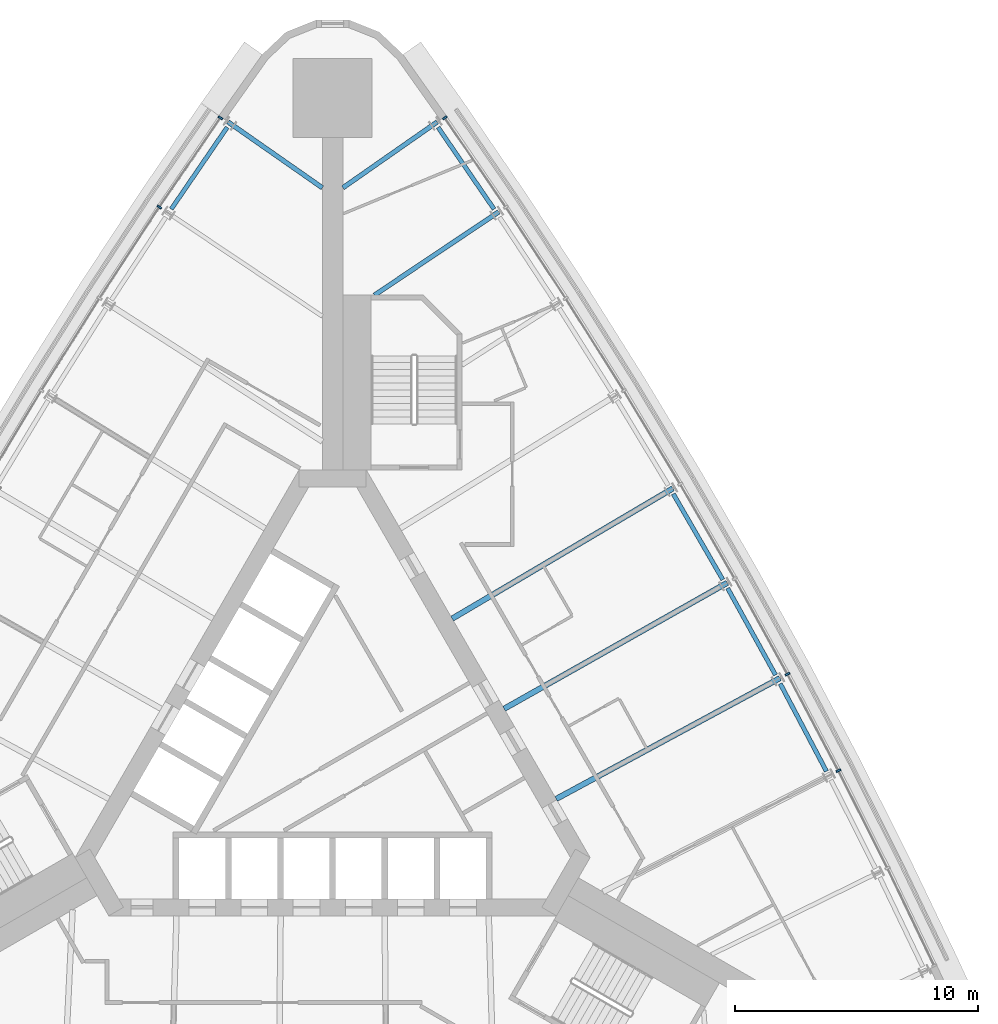
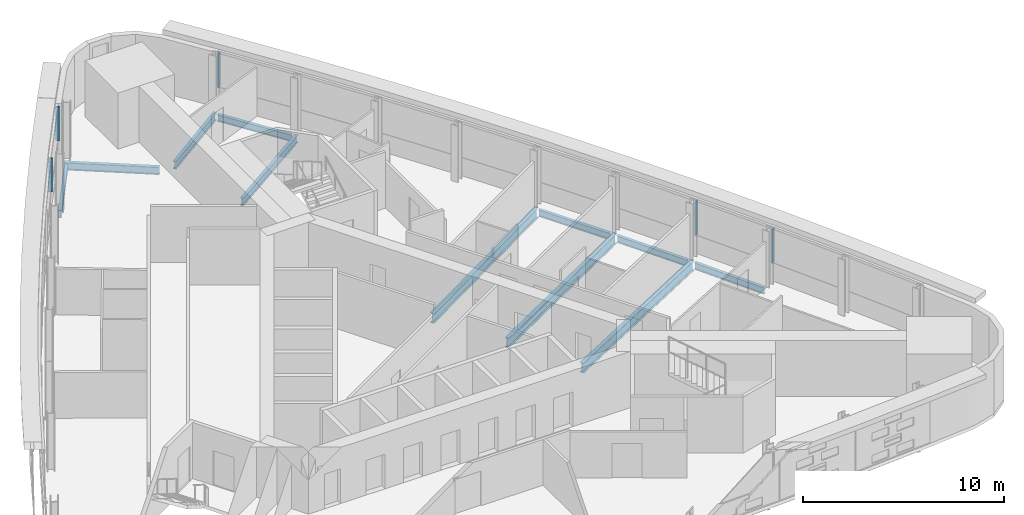
# One storey, part 7 of 16: 11 beams, 5 members, 2 elements without a shape of their own.
"""IFC4 building model written with IfcOpenShell, lengths in metres."""

from ifc_helpers import new_model, si_unit, direction, frame, origin, origin_2d, place, context, subcontext, project, spatial, rectangle, i_section, extrude, material, material_profile, profile_set, type_object, element, aggregate, save


model = new_model("IFC4")

# Units and contexts
model_context = context("Model", 3, precision=1e-05, world=origin(), true_north=direction((0.0, 1.0)))
body_context = subcontext(model_context, "Body", "Model", "MODEL_VIEW")
ifc_project = project(units=[si_unit("LENGTHUNIT", "METRE"), si_unit("AREAUNIT", "SQUARE_METRE"), si_unit("VOLUMEUNIT", "CUBIC_METRE"), si_unit("PLANEANGLEUNIT", "RADIAN"), si_unit("MASSUNIT", "GRAM", prefix="KILO")], contexts=[model_context])

# Site, building, storey
site_placement = place(None, origin())
site = spatial("IfcSite", under=ifc_project, at=site_placement, CompositionType="ELEMENT")
building_placement = place(site_placement, origin())
building = spatial("IfcBuilding", under=site, at=building_placement, Name="Noor Cloister Tower", CompositionType="ELEMENT")
storey_placement = place(building_placement, frame((0.0, 0.0, 65.39990234375)))
storey = spatial("IfcBuildingStorey", under=building, at=storey_placement, Name="L16", CompositionType="ELEMENT", Elevation=65.39990234375)

# Curtain wall, members
ifc_material_1 = material(Name="Aluminium 6063-T6 anodised", Category="aluminium")
curtain_wall_type = type_object("IfcCurtainWallType", Name="Ribbon curtain wall, lower tower CW1", PredefinedType="NOTDEFINED", material=ifc_material_1)
curtain_wall_1_placement = place(storey_placement, origin())
curtain_wall_1 = element("IfcCurtainWall", 1, at=curtain_wall_1_placement, inside=storey, type_object=curtain_wall_type, Name="CW1 L16 NW run 1", PredefinedType="NOTDEFINED")
ifc_material_2 = material(Name="Aluminium 6063-T6 anodised", Category="aluminium")
ifc_material_profile_1 = material_profile(ifc_material_2, rectangle(XDim=0.199951171875, YDim=0.080078125, at=origin_2d()), Name="200 x 80 mullion")
ifc_profile_set_1 = profile_set([ifc_material_profile_1], Name="Aluminium 6063-T6 anodised")
member_type = type_object("IfcMemberType", Name="Mullion CW1 80 x 200", PredefinedType="MULLION", material=ifc_profile_set_1)
member_1_placement = place(storey_placement, frame((-4.623779296875, 25.968505859375, 1.10009765625), z_axis=(0.0, 0.0, 1.0), x_axis=(0.82534466855, -0.564629239498, 0.0)))
member_1 = element("IfcMember", 2, at=member_1_placement, type_object=member_type, Name="CW1 mullion 1", PredefinedType="MULLION", context=body_context, shape_type="SweptSolid", body=[
    extrude(rectangle(XDim=0.199951171875, YDim=0.080078125, at=origin_2d()), origin(), (0.0, 0.0, 1.0), 2.050048828125),
])
member_2_placement = place(storey_placement, frame((-7.141357421875, 22.288330078125, 1.10009765625), z_axis=(0.0, 0.0, 1.0), x_axis=(0.830698132368, -0.556723102521, 0.0)))
member_2 = element("IfcMember", 3, at=member_2_placement, type_object=member_type, Name="CW1 mullion 2", PredefinedType="MULLION", context=body_context, shape_type="SweptSolid", body=[
    extrude(rectangle(XDim=0.199951171875, YDim=0.080078125, at=origin_2d()), origin(), (0.0, 0.0, 1.0), 2.050048828125),
])
aggregate(curtain_wall_1, [member_1, member_2])

curtain_wall_2_placement = place(storey_placement, origin())
curtain_wall_2 = element("IfcCurtainWall", 4, at=curtain_wall_2_placement, inside=storey, type_object=curtain_wall_type, Name="CW1 L16 NE run 4", PredefinedType="NOTDEFINED")
member_3_placement = place(storey_placement, frame((20.850830078125, -0.941650390625, 1.10009765625), z_axis=(0.0, 0.0, 1.0), x_axis=(-0.88889998234, -0.458101322193, 0.0)))
member_3 = element("IfcMember", 5, at=member_3_placement, type_object=member_type, Name="CW1 mullion 3", PredefinedType="MULLION", context=body_context, shape_type="SweptSolid", body=[
    extrude(rectangle(XDim=0.199951171875, YDim=0.080078125, at=origin_2d()), origin(), (0.0, 0.0, 1.0), 2.050048828125),
])
member_4_placement = place(storey_placement, frame((18.752197265625, 3.03662109375, 1.10009765625), z_axis=(0.0, 0.0, 1.0), x_axis=(-0.879990404946, -0.474991460136, 0.0)))
member_4 = element("IfcMember", 6, at=member_4_placement, type_object=member_type, Name="CW1 mullion 4", PredefinedType="MULLION", context=body_context, shape_type="SweptSolid", body=[
    extrude(rectangle(XDim=0.199951171875, YDim=0.080078125, at=origin_2d()), origin(), (0.0, 0.0, 1.0), 2.050048828125),
])
member_5_placement = place(storey_placement, frame((4.623779296875, 25.968505859375, 1.10009765625), z_axis=(0.0, 0.0, 1.0), x_axis=(-0.82534466855, -0.564629239498, 0.0)))
member_5 = element("IfcMember", 7, at=member_5_placement, type_object=member_type, Name="CW1 mullion 10", PredefinedType="MULLION", context=body_context, shape_type="SweptSolid", body=[
    extrude(rectangle(XDim=0.199951171875, YDim=0.080078125, at=origin_2d()), origin(), (0.0, 0.0, 1.0), 2.050048828125),
])
aggregate(curtain_wall_2, [member_3, member_4, member_5])

# Beams
ifc_material_3 = material(Name="Steel ASTM A992 Gr 50", Category="steel")
ifc_material_profile_2 = material_profile(ifc_material_3, i_section(OverallWidth=0.19091796875, OverallDepth=0.45703125, WebThickness=0.009033203125, FlangeThickness=0.014404296875, FilletRadius=0.01025390625, at=origin_2d()), Name="W460x74")
ifc_profile_set_2 = profile_set([ifc_material_profile_2], Name="Steel ASTM A992 Gr 50")
beam_type_1 = type_object("IfcBeamType", Name="Radial beam W460x74", PredefinedType="BEAM", material=ifc_profile_set_2)
beam_1_placement = place(storey_placement, frame((-4.312255859375, 25.798828125, -0.428466796875), z_axis=(0.819894234357, -0.572515016806, 0.0), x_axis=(0.572515016806, 0.819894234357, 0.0)))
element("IfcBeam", 8, at=beam_1_placement, inside=storey, type_object=beam_type_1, Name="Radial beam NW 01 L16", PredefinedType="BEAM", context=body_context, shape_type="SweptSolid", body=[
    extrude(i_section(OverallWidth=0.19091796875, OverallDepth=0.45703125, WebThickness=0.009033203125, FlangeThickness=0.014404296875, FilletRadius=0.01025390625, at=origin_2d()), origin(), (0.0, 0.0, 1.0), 4.7412109375),
])
beam_2_placement = place(storey_placement, frame((6.84814453125, 22.091796875, -0.428466796875), z_axis=(-0.830702644277, -0.556716370148, 0.0), x_axis=(0.556716370148, -0.830702644277, 0.0)))
element("IfcBeam", 9, at=beam_2_placement, inside=storey, type_object=beam_type_1, Name="Radial beam NE 09 L16", PredefinedType="BEAM", context=body_context, shape_type="SweptSolid", body=[
    extrude(i_section(OverallWidth=0.19091796875, OverallDepth=0.45703125, WebThickness=0.009033203125, FlangeThickness=0.014404296875, FilletRadius=0.01025390625, at=origin_2d()), origin(), (0.0, 0.0, 1.0), 6.170654296875),
])
beam_3_placement = place(storey_placement, frame((4.312255859375, 25.798828125, -0.428466796875), z_axis=(-0.819894234357, -0.572515016806, 0.0), x_axis=(0.572515016806, -0.819894234357, 0.0)))
element("IfcBeam", 10, at=beam_3_placement, inside=storey, type_object=beam_type_1, Name="Radial beam NE 10 L16", PredefinedType="BEAM", context=body_context, shape_type="SweptSolid", body=[
    extrude(i_section(OverallWidth=0.19091796875, OverallDepth=0.45703125, WebThickness=0.009033203125, FlangeThickness=0.014404296875, FilletRadius=0.01025390625, at=origin_2d()), origin(), (0.0, 0.0, 1.0), 4.7412109375),
])
ifc_material_4 = material(Name="Steel ASTM A992 Gr 50", Category="steel")
ifc_material_profile_3 = material_profile(ifc_material_4, i_section(OverallWidth=0.22802734375, OverallDepth=0.60205078125, WebThickness=0.010498046875, FlangeThickness=0.014892578125, FilletRadius=0.0126953125, at=origin_2d()), Name="W610x101")
ifc_profile_set_3 = profile_set([ifc_material_profile_3], Name="Steel ASTM A992 Gr 50")
beam_type_2 = type_object("IfcBeamType", Name="Radial beam W610x101", PredefinedType="BEAM", material=ifc_profile_set_3)
beam_4_placement = place(storey_placement, frame((18.44140625, 2.869140625, -0.5009765625), z_axis=(-0.879979983035, -0.475010767729, 0.0), x_axis=(0.475010767729, -0.879979983035, 0.0)))
element("IfcBeam", 11, at=beam_4_placement, inside=storey, type_object=beam_type_2, Name="Radial beam NE 04 L16", PredefinedType="BEAM", context=body_context, shape_type="SweptSolid", body=[
    extrude(i_section(OverallWidth=0.22802734375, OverallDepth=0.60205078125, WebThickness=0.010498046875, FlangeThickness=0.014892578125, FilletRadius=0.0126953125, at=origin_2d()), origin(), (0.0, 0.0, 1.0), 10.4814453125),
])
beam_5_placement = place(storey_placement, frame((16.2705078125, 6.80078125, -0.5009765625), z_axis=(-0.87075647763, -0.491714507275, 0.0), x_axis=(0.491714507275, -0.87075647763, 0.0)))
element("IfcBeam", 12, at=beam_5_placement, inside=storey, type_object=beam_type_2, Name="Radial beam NE 05 L16", PredefinedType="BEAM", context=body_context, shape_type="SweptSolid", body=[
    extrude(i_section(OverallWidth=0.22802734375, OverallDepth=0.60205078125, WebThickness=0.010498046875, FlangeThickness=0.014892578125, FilletRadius=0.0126953125, at=origin_2d()), origin(), (0.0, 0.0, 1.0), 10.563232421875),
])
beam_6_placement = place(storey_placement, frame((14.02490234375, 10.6904296875, -0.5009765625), z_axis=(-0.861210281965, -0.508248807414, 0.0), x_axis=(0.508248807414, -0.861210281965, 0.0)))
element("IfcBeam", 13, at=beam_6_placement, inside=storey, type_object=beam_type_2, Name="Radial beam NE 06 L16", PredefinedType="BEAM", context=body_context, shape_type="SweptSolid", body=[
    extrude(i_section(OverallWidth=0.22802734375, OverallDepth=0.60205078125, WebThickness=0.010498046875, FlangeThickness=0.014892578125, FilletRadius=0.0126953125, at=origin_2d()), origin(), (0.0, 0.0, 1.0), 10.5634765625),
])
ifc_material_5 = material(Name="Steel ASTM A992 Gr 50", Category="steel")
ifc_material_profile_4 = material_profile(ifc_material_5, i_section(OverallWidth=0.177978515625, OverallDepth=0.406005859375, WebThickness=0.0078125, FlangeThickness=0.0126953125, FilletRadius=0.01025390625, at=origin_2d()), Name="W410x60")
ifc_profile_set_4 = profile_set([ifc_material_profile_4], Name="Steel ASTM A992 Gr 50")
beam_type_3 = type_object("IfcBeamType", Name="Spandrel beam W410x60", PredefinedType="SPANDREL", material=ifc_profile_set_4)
beam_7_placement = place(storey_placement, frame((-4.346923828125, 25.576416015625, -0.40283203125), z_axis=(-0.564617500645, -0.825352699133, 0.0), x_axis=(0.825352699133, -0.564617500645, 0.0)))
element("IfcBeam", 14, at=beam_7_placement, inside=storey, type_object=beam_type_3, Name="Spandrel beam NW 01 L16", PredefinedType="SPANDREL", context=body_context, shape_type="SweptSolid", body=[
    extrude(i_section(OverallWidth=0.177978515625, OverallDepth=0.406005859375, WebThickness=0.0078125, FlangeThickness=0.0126953125, FilletRadius=0.01025390625, at=origin_2d()), origin(), (0.0, 0.0, 1.0), 4.085205078125),
])
for number, where, z_axis, x_axis, name in (
    (15, (20.3564453125, -0.96923828125, -0.40283203125), (-0.466541783788, 0.884499159965, 0.0), (-0.884499159965, -0.466541783788, 0.0), "Spandrel beam NE 03 L16"),
    (16, (18.258544921875, 2.999755859375, -0.40283203125), (-0.483388526377, 0.875405924453, 0.0), (-0.875405924453, -0.483388526377, 0.0), "Spandrel beam NE 04 L16"),
    (17, (16.085205078125, 6.927978515625, -0.40283203125), (-0.500001788232, 0.866024371346, 0.0), (-0.866024371346, -0.500001788232, 0.0), "Spandrel beam NE 05 L16"),
):
    element("IfcBeam", number, at=place(storey_placement, frame(where, z_axis=z_axis, x_axis=x_axis)), inside=storey, type_object=beam_type_3, Name=name, PredefinedType="SPANDREL", context=body_context, shape_type="SweptSolid", body=[
        extrude(i_section(OverallWidth=0.177978515625, OverallDepth=0.406005859375, WebThickness=0.0078125, FlangeThickness=0.0126953125, FilletRadius=0.01025390625, at=origin_2d()), origin(), (0.0, 0.0, 1.0), 4.08544921875),
    ])
beam_8_placement = place(storey_placement, frame((6.653564453125, 22.20458984375, -0.40283203125), z_axis=(-0.564617500645, 0.825352699133, 0.0), x_axis=(-0.825352699133, -0.564617500645, 0.0)))
element("IfcBeam", 18, at=beam_8_placement, inside=storey, type_object=beam_type_3, Name="Spandrel beam NE 09 L16", PredefinedType="SPANDREL", context=body_context, shape_type="SweptSolid", body=[
    extrude(i_section(OverallWidth=0.177978515625, OverallDepth=0.406005859375, WebThickness=0.0078125, FlangeThickness=0.0126953125, FilletRadius=0.01025390625, at=origin_2d()), origin(), (0.0, 0.0, 1.0), 4.085205078125),
])

save(model, "model.ifc")
